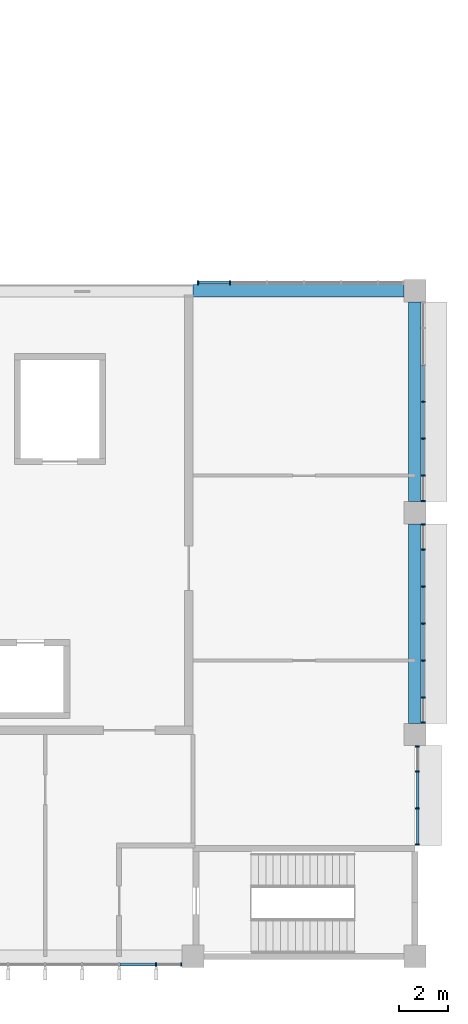
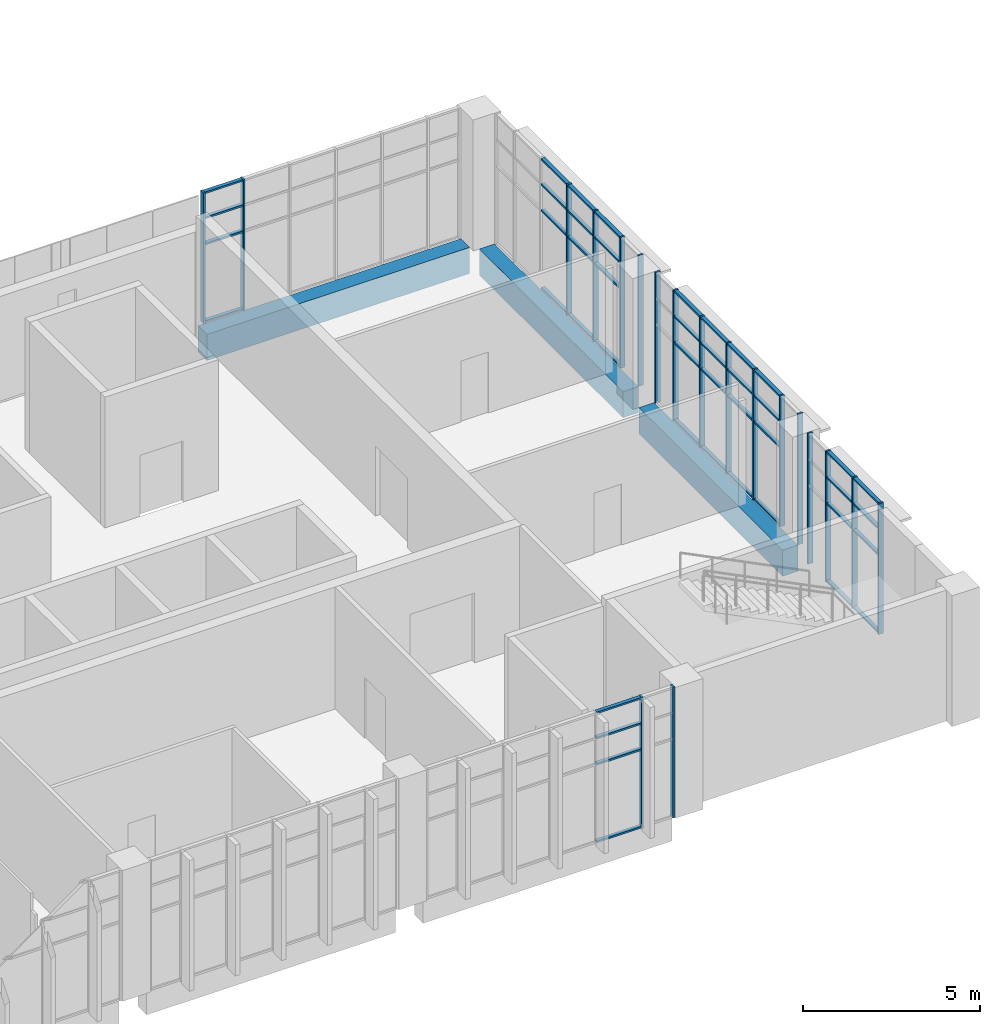
# One storey, part 13 of 45: 63 members, 3 beams, 5 elements without a shape of their own.
"""IFC4 building model written with IfcOpenShell, lengths in metres."""

from ifc_helpers import new_model, si_unit, direction, frame, origin, origin_2d, place, context, subcontext, project, spatial, rectangle, extrude, material, layer, layer_set, material_profile, profile_set, type_object, element, aggregate, save


model = new_model("IFC4")

# Units and contexts
model_context = context("Model", 3, precision=1e-05, world=origin(), true_north=direction((0.0, 1.0)))
body_context = subcontext(model_context, "Body", "Model", "MODEL_VIEW")
ifc_project = project(units=[si_unit("LENGTHUNIT", "METRE"), si_unit("AREAUNIT", "SQUARE_METRE"), si_unit("VOLUMEUNIT", "CUBIC_METRE"), si_unit("PLANEANGLEUNIT", "RADIAN"), si_unit("MASSUNIT", "GRAM", prefix="KILO")], contexts=[model_context])

# Site, building, storey
site_placement = place(None, origin())
site = spatial("IfcSite", under=ifc_project, at=site_placement, CompositionType="ELEMENT")
building_placement = place(site_placement, origin())
building = spatial("IfcBuilding", under=site, at=building_placement, Name="Guidao Yard Department Store", CompositionType="ELEMENT")
storey_placement = place(building_placement, frame((0.0, 0.0, 19.5)))
storey = spatial("IfcBuildingStorey", under=building, at=storey_placement, Name="L04", CompositionType="ELEMENT", Elevation=19.5)

# Curtain wall, members
ifc_material_1 = material(Name="Aluminium and glass", Category="aluminium")
ifc_layer = layer(ifc_material_1, 0.159912109375)
ifc_layer_set = layer_set([ifc_layer], Name="Unitised curtain wall CW4 1500 module")
curtain_wall_type = type_object("IfcCurtainWallType", Name="Unitised curtain wall CW4 1500 module", PredefinedType="NOTDEFINED", material=ifc_layer_set)
curtain_wall_1_placement = place(storey_placement, origin())
curtain_wall_1 = element("IfcCurtainWall", 1, at=curtain_wall_1_placement, inside=storey, type_object=curtain_wall_type, Name="Unitised curtain wall", PredefinedType="NOTDEFINED")
ifc_material_2 = material(Name="Aluminium 6063-T5", Category="aluminium")
ifc_material_profile_1 = material_profile(ifc_material_2, rectangle(XDim=0.06005859375, YDim=0.159912109375, at=origin_2d()), Name="Mullion M1 60 x 160 aluminium pressure plate")
ifc_profile_set_1 = profile_set([ifc_material_profile_1], Name="Aluminium 6063-T5")
member_type_1 = type_object("IfcMemberType", Name="Mullion M1 60 x 160 aluminium pressure plate", PredefinedType="MULLION", material=ifc_profile_set_1)
member_1_placement = place(storey_placement, frame((160.5, -0.330078125, 0.0), z_axis=(0.0, 0.0, 1.0), x_axis=(-1.0, 0.0, 0.0)))
member_1 = element("IfcMember", 2, at=member_1_placement, type_object=member_type_1, Name="CW-OW-L04-04 mullion 6", PredefinedType="MULLION", context=body_context, shape_type="SweptSolid", body=[
    extrude(rectangle(XDim=0.06005859375, YDim=0.159912109375, at=origin_2d()), origin(), (0.0, 0.0, 1.0), 4.5),
])
member_2_placement = place(storey_placement, frame((161.52001953125, -0.330078125, 0.0), z_axis=(0.0, 0.0, 1.0), x_axis=(-1.0, 0.0, 0.0)))
member_2 = element("IfcMember", 3, at=member_2_placement, type_object=member_type_1, Name="CW-OW-L04-04 mullion 7", PredefinedType="MULLION", context=body_context, shape_type="SweptSolid", body=[
    extrude(rectangle(XDim=0.06005859375, YDim=0.159912109375, at=origin_2d()), origin(), (0.0, 0.0, 1.0), 4.5),
])

curtain_wall_2_placement = place(storey_placement, origin())
curtain_wall_2 = element("IfcCurtainWall", 4, at=curtain_wall_2_placement, inside=storey, type_object=curtain_wall_type, Name="Unitised curtain wall", PredefinedType="NOTDEFINED")
member_3_placement = place(storey_placement, frame((162.205078125, 27.330078125, 0.0), z_axis=(0.0, 0.0, 1.0), x_axis=(1.0, 0.0, 0.0)))
member_3 = element("IfcMember", 5, at=member_3_placement, type_object=member_type_1, Name="CW-OW-L04-08 mullion 1", PredefinedType="MULLION", context=body_context, shape_type="SweptSolid", body=[
    extrude(rectangle(XDim=0.06005859375, YDim=0.159912109375, at=origin_2d()), origin(), (0.0, 0.0, 1.0), 4.5),
])
member_4_placement = place(storey_placement, frame((163.5, 27.330078125, 0.0), z_axis=(0.0, 0.0, 1.0), x_axis=(1.0, 0.0, 0.0)))
member_4 = element("IfcMember", 6, at=member_4_placement, type_object=member_type_1, Name="CW-OW-L04-08 mullion 2", PredefinedType="MULLION", context=body_context, shape_type="SweptSolid", body=[
    extrude(rectangle(XDim=0.06005859375, YDim=0.159912109375, at=origin_2d()), origin(), (0.0, 0.0, 1.0), 4.5),
])

curtain_wall_3_placement = place(storey_placement, origin())
curtain_wall_3 = element("IfcCurtainWall", 7, at=curtain_wall_3_placement, inside=storey, type_object=curtain_wall_type, Name="Unitised curtain wall", PredefinedType="NOTDEFINED")
member_5_placement = place(storey_placement, frame((171.10009765625, 4.530029296875, 0.0), z_axis=(0.0, 0.0, 1.0), x_axis=(0.0, -1.0, 0.0)))
member_5 = element("IfcMember", 8, at=member_5_placement, type_object=member_type_1, Name="CW-OW-L04-09 mullion 1", PredefinedType="MULLION", context=body_context, shape_type="SweptSolid", body=[
    extrude(rectangle(XDim=0.06005859375, YDim=0.159912109375, at=origin_2d()), origin(), (0.0, 0.0, 1.0), 4.5),
])
member_6_placement = place(storey_placement, frame((171.10009765625, 6.0, 0.0), z_axis=(0.0, 0.0, 1.0), x_axis=(0.0, -1.0, 0.0)))
member_6 = element("IfcMember", 9, at=member_6_placement, type_object=member_type_1, Name="CW-OW-L04-09 mullion 2", PredefinedType="MULLION", context=body_context, shape_type="SweptSolid", body=[
    extrude(rectangle(XDim=0.06005859375, YDim=0.159912109375, at=origin_2d()), origin(), (0.0, 0.0, 1.0), 4.5),
])
member_7_placement = place(storey_placement, frame((171.10009765625, 7.5, 0.0), z_axis=(0.0, 0.0, 1.0), x_axis=(0.0, -1.0, 0.0)))
member_7 = element("IfcMember", 10, at=member_7_placement, type_object=member_type_1, Name="CW-OW-L04-09 mullion 3", PredefinedType="MULLION", context=body_context, shape_type="SweptSolid", body=[
    extrude(rectangle(XDim=0.06005859375, YDim=0.159912109375, at=origin_2d()), origin(), (0.0, 0.0, 1.0), 4.5),
])
member_8_placement = place(storey_placement, frame((171.10009765625, 8.52001953125, 0.0), z_axis=(0.0, 0.0, 1.0), x_axis=(0.0, -1.0, 0.0)))
member_8 = element("IfcMember", 11, at=member_8_placement, type_object=member_type_1, Name="CW-OW-L04-09 mullion 4", PredefinedType="MULLION", context=body_context, shape_type="SweptSolid", body=[
    extrude(rectangle(XDim=0.06005859375, YDim=0.159912109375, at=origin_2d()), origin(), (0.0, 0.0, 1.0), 4.5),
])

curtain_wall_4_placement = place(storey_placement, origin())
curtain_wall_4 = element("IfcCurtainWall", 12, at=curtain_wall_4_placement, inside=storey, type_object=curtain_wall_type, Name="Unitised curtain wall", PredefinedType="NOTDEFINED")
member_9_placement = place(storey_placement, frame((171.330078125, 9.47998046875, 0.0), z_axis=(0.0, 0.0, 1.0), x_axis=(0.0, -1.0, 0.0)))
member_9 = element("IfcMember", 13, at=member_9_placement, type_object=member_type_1, Name="CW-OW-L04-10 mullion 1", PredefinedType="MULLION", context=body_context, shape_type="SweptSolid", body=[
    extrude(rectangle(XDim=0.06005859375, YDim=0.159912109375, at=origin_2d()), origin(), (0.0, 0.0, 1.0), 4.5),
])
member_10_placement = place(storey_placement, frame((171.330078125, 10.5, 0.0), z_axis=(0.0, 0.0, 1.0), x_axis=(0.0, -1.0, 0.0)))
member_10 = element("IfcMember", 14, at=member_10_placement, type_object=member_type_1, Name="CW-OW-L04-10 mullion 2", PredefinedType="MULLION", context=body_context, shape_type="SweptSolid", body=[
    extrude(rectangle(XDim=0.06005859375, YDim=0.159912109375, at=origin_2d()), origin(), (0.0, 0.0, 1.0), 4.5),
])
member_11_placement = place(storey_placement, frame((171.330078125, 12.0, 0.0), z_axis=(0.0, 0.0, 1.0), x_axis=(0.0, -1.0, 0.0)))
member_11 = element("IfcMember", 15, at=member_11_placement, type_object=member_type_1, Name="CW-OW-L04-10 mullion 3", PredefinedType="MULLION", context=body_context, shape_type="SweptSolid", body=[
    extrude(rectangle(XDim=0.06005859375, YDim=0.159912109375, at=origin_2d()), origin(), (0.0, 0.0, 1.0), 4.5),
])
member_12_placement = place(storey_placement, frame((171.330078125, 13.5, 0.0), z_axis=(0.0, 0.0, 1.0), x_axis=(0.0, -1.0, 0.0)))
member_12 = element("IfcMember", 16, at=member_12_placement, type_object=member_type_1, Name="CW-OW-L04-10 mullion 4", PredefinedType="MULLION", context=body_context, shape_type="SweptSolid", body=[
    extrude(rectangle(XDim=0.06005859375, YDim=0.159912109375, at=origin_2d()), origin(), (0.0, 0.0, 1.0), 4.5),
])
member_13_placement = place(storey_placement, frame((171.330078125, 15.0, 0.0), z_axis=(0.0, 0.0, 1.0), x_axis=(0.0, -1.0, 0.0)))
member_13 = element("IfcMember", 17, at=member_13_placement, type_object=member_type_1, Name="CW-OW-L04-10 mullion 5", PredefinedType="MULLION", context=body_context, shape_type="SweptSolid", body=[
    extrude(rectangle(XDim=0.06005859375, YDim=0.159912109375, at=origin_2d()), origin(), (0.0, 0.0, 1.0), 4.5),
])
member_14_placement = place(storey_placement, frame((171.330078125, 16.5, 0.0), z_axis=(0.0, 0.0, 1.0), x_axis=(0.0, -1.0, 0.0)))
member_14 = element("IfcMember", 18, at=member_14_placement, type_object=member_type_1, Name="CW-OW-L04-10 mullion 6", PredefinedType="MULLION", context=body_context, shape_type="SweptSolid", body=[
    extrude(rectangle(XDim=0.06005859375, YDim=0.159912109375, at=origin_2d()), origin(), (0.0, 0.0, 1.0), 4.5),
])
member_15_placement = place(storey_placement, frame((171.330078125, 17.52001953125, 0.0), z_axis=(0.0, 0.0, 1.0), x_axis=(0.0, -1.0, 0.0)))
member_15 = element("IfcMember", 19, at=member_15_placement, type_object=member_type_1, Name="CW-OW-L04-10 mullion 7", PredefinedType="MULLION", context=body_context, shape_type="SweptSolid", body=[
    extrude(rectangle(XDim=0.06005859375, YDim=0.159912109375, at=origin_2d()), origin(), (0.0, 0.0, 1.0), 4.5),
])

curtain_wall_5_placement = place(storey_placement, origin())
curtain_wall_5 = element("IfcCurtainWall", 20, at=curtain_wall_5_placement, inside=storey, type_object=curtain_wall_type, Name="Unitised curtain wall", PredefinedType="NOTDEFINED")
member_16_placement = place(storey_placement, frame((171.330078125, 18.47998046875, 0.0), z_axis=(0.0, 0.0, 1.0), x_axis=(0.0, -1.0, 0.0)))
member_16 = element("IfcMember", 21, at=member_16_placement, type_object=member_type_1, Name="CW-OW-L04-11 mullion 1", PredefinedType="MULLION", context=body_context, shape_type="SweptSolid", body=[
    extrude(rectangle(XDim=0.06005859375, YDim=0.159912109375, at=origin_2d()), origin(), (0.0, 0.0, 1.0), 4.5),
])
member_17_placement = place(storey_placement, frame((171.330078125, 19.5, 0.0), z_axis=(0.0, 0.0, 1.0), x_axis=(0.0, -1.0, 0.0)))
member_17 = element("IfcMember", 22, at=member_17_placement, type_object=member_type_1, Name="CW-OW-L04-11 mullion 2", PredefinedType="MULLION", context=body_context, shape_type="SweptSolid", body=[
    extrude(rectangle(XDim=0.06005859375, YDim=0.159912109375, at=origin_2d()), origin(), (0.0, 0.0, 1.0), 4.5),
])
member_18_placement = place(storey_placement, frame((171.330078125, 21.0, 0.0), z_axis=(0.0, 0.0, 1.0), x_axis=(0.0, -1.0, 0.0)))
member_18 = element("IfcMember", 23, at=member_18_placement, type_object=member_type_1, Name="CW-OW-L04-11 mullion 3", PredefinedType="MULLION", context=body_context, shape_type="SweptSolid", body=[
    extrude(rectangle(XDim=0.06005859375, YDim=0.159912109375, at=origin_2d()), origin(), (0.0, 0.0, 1.0), 4.5),
])
member_19_placement = place(storey_placement, frame((171.330078125, 22.5, 0.0), z_axis=(0.0, 0.0, 1.0), x_axis=(0.0, -1.0, 0.0)))
member_19 = element("IfcMember", 24, at=member_19_placement, type_object=member_type_1, Name="CW-OW-L04-11 mullion 4", PredefinedType="MULLION", context=body_context, shape_type="SweptSolid", body=[
    extrude(rectangle(XDim=0.06005859375, YDim=0.159912109375, at=origin_2d()), origin(), (0.0, 0.0, 1.0), 4.5),
])

# Beams
ifc_material_3 = material(Name="Concrete C40", Category="concrete")
ifc_material_profile_2 = material_profile(ifc_material_3, rectangle(XDim=0.5, YDim=0.89990234375, at=origin_2d()), Name="Spandrel beam 500 x 900 C40")
ifc_profile_set_2 = profile_set([ifc_material_profile_2], Name="Concrete C40")
beam_type = type_object("IfcBeamType", Name="Spandrel beam 500 x 900 C40", PredefinedType="SPANDREL", material=ifc_profile_set_2)
beam_placement = place(storey_placement, frame((162.0, 27.0, -0.449951171875), z_axis=(1.0, 0.0, 0.0), x_axis=(0.0, 1.0, 0.0)))
element("IfcBeam", 25, at=beam_placement, inside=storey, type_object=beam_type, Name="Beam FB08", PredefinedType="SPANDREL", context=body_context, shape_type="SweptSolid", body=[
    extrude(rectangle(XDim=0.5, YDim=0.89990234375, at=origin_2d()), origin(), (0.0, 0.0, 1.0), 8.550048828125),
])
for number, where, z_axis, x_axis, name in (
    (26, (171.0, 9.449951171875, -0.449951171875), (0.0, 1.0, 0.0), (-1.0, 0.0, 0.0), "Beam FB09"),
    (27, (171.0, 18.449951171875, -0.449951171875), (0.0, 1.0, 0.0), (-1.0, 0.0, 0.0), "Beam FB10"),
):
    element("IfcBeam", number, at=place(storey_placement, frame(where, z_axis=z_axis, x_axis=x_axis)), inside=storey, type_object=beam_type, Name=name, PredefinedType="SPANDREL", context=body_context, shape_type="SweptSolid", body=[
        extrude(rectangle(XDim=0.5, YDim=0.89990234375, at=origin_2d()), origin(), (0.0, 0.0, 1.0), 8.10009765625),
    ])

# Member
ifc_material_4 = material(Name="Aluminium 6063-T5", Category="aluminium")
ifc_material_profile_3 = material_profile(ifc_material_4, rectangle(XDim=0.1201171875, YDim=0.06005859375, at=origin_2d()), Name="Transom T1 60 x 120 aluminium pressure plate")
ifc_profile_set_3 = profile_set([ifc_material_profile_3], Name="Aluminium 6063-T5")
member_type_2 = type_object("IfcMemberType", Name="Transom T1 60 x 120 aluminium pressure plate", PredefinedType="USERDEFINED", material=ifc_profile_set_3)
member_20_placement = place(storey_placement, frame((160.469970703125, -0.330078125, 0.030029296875), z_axis=(-1.0, 0.0, 0.0), x_axis=(0.0, -1.0, 0.0)))
member_20 = element("IfcMember", 28, at=member_20_placement, type_object=member_type_2, Name="CW-OW-L04-04 transom 5.1", ObjectType="TRANSOM", PredefinedType="USERDEFINED", context=body_context, shape_type="SweptSolid", body=[
    extrude(rectangle(XDim=0.1201171875, YDim=0.06005859375, at=origin_2d()), origin(), (0.0, 0.0, 1.0), 1.43994140625),
])

member_21_placement = place(storey_placement, frame((160.469970703125, -0.330078125, 2.699951171875), z_axis=(-1.0, 0.0, 0.0), x_axis=(0.0, -1.0, 0.0)))
member_21 = element("IfcMember", 29, at=member_21_placement, type_object=member_type_2, Name="CW-OW-L04-04 transom 5.2", ObjectType="TRANSOM", PredefinedType="USERDEFINED", context=body_context, shape_type="SweptSolid", body=[
    extrude(rectangle(XDim=0.1201171875, YDim=0.06005859375, at=origin_2d()), origin(), (0.0, 0.0, 1.0), 1.43994140625),
])

member_22_placement = place(storey_placement, frame((160.469970703125, -0.330078125, 3.60009765625), z_axis=(-1.0, 0.0, 0.0), x_axis=(0.0, -1.0, 0.0)))
member_22 = element("IfcMember", 30, at=member_22_placement, type_object=member_type_2, Name="CW-OW-L04-04 transom 5.3", ObjectType="TRANSOM", PredefinedType="USERDEFINED", context=body_context, shape_type="SweptSolid", body=[
    extrude(rectangle(XDim=0.1201171875, YDim=0.06005859375, at=origin_2d()), origin(), (0.0, 0.0, 1.0), 1.43994140625),
])

member_23_placement = place(storey_placement, frame((160.469970703125, -0.330078125, 4.469970703125), z_axis=(-1.0, 0.0, 0.0), x_axis=(0.0, -1.0, 0.0)))
member_23 = element("IfcMember", 31, at=member_23_placement, type_object=member_type_2, Name="CW-OW-L04-04 transom 5.4", ObjectType="TRANSOM", PredefinedType="USERDEFINED", context=body_context, shape_type="SweptSolid", body=[
    extrude(rectangle(XDim=0.1201171875, YDim=0.06005859375, at=origin_2d()), origin(), (0.0, 0.0, 1.0), 1.43994140625),
])

aggregate(curtain_wall_1, [member_1, member_2, member_20, member_21, member_22, member_23])

member_24_placement = place(storey_placement, frame((162.235107421875, 27.330078125, 0.030029296875), z_axis=(1.0, 0.0, 0.0), x_axis=(0.0, 1.0, 0.0)))
member_24 = element("IfcMember", 32, at=member_24_placement, type_object=member_type_2, Name="CW-OW-L04-08 transom 1.1", ObjectType="TRANSOM", PredefinedType="USERDEFINED", context=body_context, shape_type="SweptSolid", body=[
    extrude(rectangle(XDim=0.1201171875, YDim=0.06005859375, at=origin_2d()), origin(), (0.0, 0.0, 1.0), 1.23486328125),
])

member_25_placement = place(storey_placement, frame((162.235107421875, 27.330078125, 2.699951171875), z_axis=(1.0, 0.0, 0.0), x_axis=(0.0, 1.0, 0.0)))
member_25 = element("IfcMember", 33, at=member_25_placement, type_object=member_type_2, Name="CW-OW-L04-08 transom 1.2", ObjectType="TRANSOM", PredefinedType="USERDEFINED", context=body_context, shape_type="SweptSolid", body=[
    extrude(rectangle(XDim=0.1201171875, YDim=0.06005859375, at=origin_2d()), origin(), (0.0, 0.0, 1.0), 1.23486328125),
])

member_26_placement = place(storey_placement, frame((162.235107421875, 27.330078125, 3.60009765625), z_axis=(1.0, 0.0, 0.0), x_axis=(0.0, 1.0, 0.0)))
member_26 = element("IfcMember", 34, at=member_26_placement, type_object=member_type_2, Name="CW-OW-L04-08 transom 1.3", ObjectType="TRANSOM", PredefinedType="USERDEFINED", context=body_context, shape_type="SweptSolid", body=[
    extrude(rectangle(XDim=0.1201171875, YDim=0.06005859375, at=origin_2d()), origin(), (0.0, 0.0, 1.0), 1.23486328125),
])

member_27_placement = place(storey_placement, frame((162.235107421875, 27.330078125, 4.469970703125), z_axis=(1.0, 0.0, 0.0), x_axis=(0.0, 1.0, 0.0)))
member_27 = element("IfcMember", 35, at=member_27_placement, type_object=member_type_2, Name="CW-OW-L04-08 transom 1.4", ObjectType="TRANSOM", PredefinedType="USERDEFINED", context=body_context, shape_type="SweptSolid", body=[
    extrude(rectangle(XDim=0.1201171875, YDim=0.06005859375, at=origin_2d()), origin(), (0.0, 0.0, 1.0), 1.23486328125),
])

aggregate(curtain_wall_2, [member_3, member_4, member_24, member_25, member_26, member_27])

member_28_placement = place(storey_placement, frame((171.10009765625, 5.969970703125, 0.030029296875), z_axis=(0.0, -1.0, 0.0), x_axis=(1.0, 0.0, 0.0)))
member_28 = element("IfcMember", 36, at=member_28_placement, type_object=member_type_2, Name="CW-OW-L04-09 transom 1.1", ObjectType="TRANSOM", PredefinedType="USERDEFINED", context=body_context, shape_type="SweptSolid", body=[
    extrude(rectangle(XDim=0.1201171875, YDim=0.06005859375, at=origin_2d()), origin(), (0.0, 0.0, 1.0), 1.409912109375),
])

member_29_placement = place(storey_placement, frame((171.10009765625, 5.969970703125, 2.699951171875), z_axis=(0.0, -1.0, 0.0), x_axis=(1.0, 0.0, 0.0)))
member_29 = element("IfcMember", 37, at=member_29_placement, type_object=member_type_2, Name="CW-OW-L04-09 transom 1.2", ObjectType="TRANSOM", PredefinedType="USERDEFINED", context=body_context, shape_type="SweptSolid", body=[
    extrude(rectangle(XDim=0.1201171875, YDim=0.06005859375, at=origin_2d()), origin(), (0.0, 0.0, 1.0), 1.409912109375),
])

member_30_placement = place(storey_placement, frame((171.10009765625, 5.969970703125, 3.60009765625), z_axis=(0.0, -1.0, 0.0), x_axis=(1.0, 0.0, 0.0)))
member_30 = element("IfcMember", 38, at=member_30_placement, type_object=member_type_2, Name="CW-OW-L04-09 transom 1.3", ObjectType="TRANSOM", PredefinedType="USERDEFINED", context=body_context, shape_type="SweptSolid", body=[
    extrude(rectangle(XDim=0.1201171875, YDim=0.06005859375, at=origin_2d()), origin(), (0.0, 0.0, 1.0), 1.409912109375),
])

member_31_placement = place(storey_placement, frame((171.10009765625, 5.969970703125, 4.469970703125), z_axis=(0.0, -1.0, 0.0), x_axis=(1.0, 0.0, 0.0)))
member_31 = element("IfcMember", 39, at=member_31_placement, type_object=member_type_2, Name="CW-OW-L04-09 transom 1.4", ObjectType="TRANSOM", PredefinedType="USERDEFINED", context=body_context, shape_type="SweptSolid", body=[
    extrude(rectangle(XDim=0.1201171875, YDim=0.06005859375, at=origin_2d()), origin(), (0.0, 0.0, 1.0), 1.409912109375),
])

member_32_placement = place(storey_placement, frame((171.10009765625, 7.469970703125, 0.030029296875), z_axis=(0.0, -1.0, 0.0), x_axis=(1.0, 0.0, 0.0)))
member_32 = element("IfcMember", 40, at=member_32_placement, type_object=member_type_2, Name="CW-OW-L04-09 transom 2.1", ObjectType="TRANSOM", PredefinedType="USERDEFINED", context=body_context, shape_type="SweptSolid", body=[
    extrude(rectangle(XDim=0.1201171875, YDim=0.06005859375, at=origin_2d()), origin(), (0.0, 0.0, 1.0), 1.43994140625),
])

member_33_placement = place(storey_placement, frame((171.10009765625, 7.469970703125, 2.699951171875), z_axis=(0.0, -1.0, 0.0), x_axis=(1.0, 0.0, 0.0)))
member_33 = element("IfcMember", 41, at=member_33_placement, type_object=member_type_2, Name="CW-OW-L04-09 transom 2.2", ObjectType="TRANSOM", PredefinedType="USERDEFINED", context=body_context, shape_type="SweptSolid", body=[
    extrude(rectangle(XDim=0.1201171875, YDim=0.06005859375, at=origin_2d()), origin(), (0.0, 0.0, 1.0), 1.43994140625),
])

member_34_placement = place(storey_placement, frame((171.10009765625, 7.469970703125, 3.60009765625), z_axis=(0.0, -1.0, 0.0), x_axis=(1.0, 0.0, 0.0)))
member_34 = element("IfcMember", 42, at=member_34_placement, type_object=member_type_2, Name="CW-OW-L04-09 transom 2.3", ObjectType="TRANSOM", PredefinedType="USERDEFINED", context=body_context, shape_type="SweptSolid", body=[
    extrude(rectangle(XDim=0.1201171875, YDim=0.06005859375, at=origin_2d()), origin(), (0.0, 0.0, 1.0), 1.43994140625),
])

member_35_placement = place(storey_placement, frame((171.10009765625, 7.469970703125, 4.469970703125), z_axis=(0.0, -1.0, 0.0), x_axis=(1.0, 0.0, 0.0)))
member_35 = element("IfcMember", 43, at=member_35_placement, type_object=member_type_2, Name="CW-OW-L04-09 transom 2.4", ObjectType="TRANSOM", PredefinedType="USERDEFINED", context=body_context, shape_type="SweptSolid", body=[
    extrude(rectangle(XDim=0.1201171875, YDim=0.06005859375, at=origin_2d()), origin(), (0.0, 0.0, 1.0), 1.43994140625),
])

aggregate(curtain_wall_3, [member_5, member_6, member_7, member_8, member_28, member_29, member_30, member_31, member_32, member_33, member_34, member_35])

member_36_placement = place(storey_placement, frame((171.330078125, 11.969970703125, 0.030029296875), z_axis=(0.0, -1.0, 0.0), x_axis=(1.0, 0.0, 0.0)))
member_36 = element("IfcMember", 44, at=member_36_placement, type_object=member_type_2, Name="CW-OW-L04-10 transom 2.1", ObjectType="TRANSOM", PredefinedType="USERDEFINED", context=body_context, shape_type="SweptSolid", body=[
    extrude(rectangle(XDim=0.1201171875, YDim=0.06005859375, at=origin_2d()), origin(), (0.0, 0.0, 1.0), 1.43994140625),
])

member_37_placement = place(storey_placement, frame((171.330078125, 11.969970703125, 2.699951171875), z_axis=(0.0, -1.0, 0.0), x_axis=(1.0, 0.0, 0.0)))
member_37 = element("IfcMember", 45, at=member_37_placement, type_object=member_type_2, Name="CW-OW-L04-10 transom 2.2", ObjectType="TRANSOM", PredefinedType="USERDEFINED", context=body_context, shape_type="SweptSolid", body=[
    extrude(rectangle(XDim=0.1201171875, YDim=0.06005859375, at=origin_2d()), origin(), (0.0, 0.0, 1.0), 1.43994140625),
])

member_38_placement = place(storey_placement, frame((171.330078125, 11.969970703125, 3.60009765625), z_axis=(0.0, -1.0, 0.0), x_axis=(1.0, 0.0, 0.0)))
member_38 = element("IfcMember", 46, at=member_38_placement, type_object=member_type_2, Name="CW-OW-L04-10 transom 2.3", ObjectType="TRANSOM", PredefinedType="USERDEFINED", context=body_context, shape_type="SweptSolid", body=[
    extrude(rectangle(XDim=0.1201171875, YDim=0.06005859375, at=origin_2d()), origin(), (0.0, 0.0, 1.0), 1.43994140625),
])

member_39_placement = place(storey_placement, frame((171.330078125, 11.969970703125, 4.469970703125), z_axis=(0.0, -1.0, 0.0), x_axis=(1.0, 0.0, 0.0)))
member_39 = element("IfcMember", 47, at=member_39_placement, type_object=member_type_2, Name="CW-OW-L04-10 transom 2.4", ObjectType="TRANSOM", PredefinedType="USERDEFINED", context=body_context, shape_type="SweptSolid", body=[
    extrude(rectangle(XDim=0.1201171875, YDim=0.06005859375, at=origin_2d()), origin(), (0.0, 0.0, 1.0), 1.43994140625),
])

member_40_placement = place(storey_placement, frame((171.330078125, 13.469970703125, 0.030029296875), z_axis=(0.0, -1.0, 0.0), x_axis=(1.0, 0.0, 0.0)))
member_40 = element("IfcMember", 48, at=member_40_placement, type_object=member_type_2, Name="CW-OW-L04-10 transom 3.1", ObjectType="TRANSOM", PredefinedType="USERDEFINED", context=body_context, shape_type="SweptSolid", body=[
    extrude(rectangle(XDim=0.1201171875, YDim=0.06005859375, at=origin_2d()), origin(), (0.0, 0.0, 1.0), 1.43994140625),
])

member_41_placement = place(storey_placement, frame((171.330078125, 13.469970703125, 2.699951171875), z_axis=(0.0, -1.0, 0.0), x_axis=(1.0, 0.0, 0.0)))
member_41 = element("IfcMember", 49, at=member_41_placement, type_object=member_type_2, Name="CW-OW-L04-10 transom 3.2", ObjectType="TRANSOM", PredefinedType="USERDEFINED", context=body_context, shape_type="SweptSolid", body=[
    extrude(rectangle(XDim=0.1201171875, YDim=0.06005859375, at=origin_2d()), origin(), (0.0, 0.0, 1.0), 1.43994140625),
])

member_42_placement = place(storey_placement, frame((171.330078125, 13.469970703125, 3.60009765625), z_axis=(0.0, -1.0, 0.0), x_axis=(1.0, 0.0, 0.0)))
member_42 = element("IfcMember", 50, at=member_42_placement, type_object=member_type_2, Name="CW-OW-L04-10 transom 3.3", ObjectType="TRANSOM", PredefinedType="USERDEFINED", context=body_context, shape_type="SweptSolid", body=[
    extrude(rectangle(XDim=0.1201171875, YDim=0.06005859375, at=origin_2d()), origin(), (0.0, 0.0, 1.0), 1.43994140625),
])

member_43_placement = place(storey_placement, frame((171.330078125, 13.469970703125, 4.469970703125), z_axis=(0.0, -1.0, 0.0), x_axis=(1.0, 0.0, 0.0)))
member_43 = element("IfcMember", 51, at=member_43_placement, type_object=member_type_2, Name="CW-OW-L04-10 transom 3.4", ObjectType="TRANSOM", PredefinedType="USERDEFINED", context=body_context, shape_type="SweptSolid", body=[
    extrude(rectangle(XDim=0.1201171875, YDim=0.06005859375, at=origin_2d()), origin(), (0.0, 0.0, 1.0), 1.43994140625),
])

member_44_placement = place(storey_placement, frame((171.330078125, 14.969970703125, 0.030029296875), z_axis=(0.0, -1.0, 0.0), x_axis=(1.0, 0.0, 0.0)))
member_44 = element("IfcMember", 52, at=member_44_placement, type_object=member_type_2, Name="CW-OW-L04-10 transom 4.1", ObjectType="TRANSOM", PredefinedType="USERDEFINED", context=body_context, shape_type="SweptSolid", body=[
    extrude(rectangle(XDim=0.1201171875, YDim=0.06005859375, at=origin_2d()), origin(), (0.0, 0.0, 1.0), 1.43994140625),
])

member_45_placement = place(storey_placement, frame((171.330078125, 14.969970703125, 2.699951171875), z_axis=(0.0, -1.0, 0.0), x_axis=(1.0, 0.0, 0.0)))
member_45 = element("IfcMember", 53, at=member_45_placement, type_object=member_type_2, Name="CW-OW-L04-10 transom 4.2", ObjectType="TRANSOM", PredefinedType="USERDEFINED", context=body_context, shape_type="SweptSolid", body=[
    extrude(rectangle(XDim=0.1201171875, YDim=0.06005859375, at=origin_2d()), origin(), (0.0, 0.0, 1.0), 1.43994140625),
])

member_46_placement = place(storey_placement, frame((171.330078125, 14.969970703125, 3.60009765625), z_axis=(0.0, -1.0, 0.0), x_axis=(1.0, 0.0, 0.0)))
member_46 = element("IfcMember", 54, at=member_46_placement, type_object=member_type_2, Name="CW-OW-L04-10 transom 4.3", ObjectType="TRANSOM", PredefinedType="USERDEFINED", context=body_context, shape_type="SweptSolid", body=[
    extrude(rectangle(XDim=0.1201171875, YDim=0.06005859375, at=origin_2d()), origin(), (0.0, 0.0, 1.0), 1.43994140625),
])

member_47_placement = place(storey_placement, frame((171.330078125, 14.969970703125, 4.469970703125), z_axis=(0.0, -1.0, 0.0), x_axis=(1.0, 0.0, 0.0)))
member_47 = element("IfcMember", 55, at=member_47_placement, type_object=member_type_2, Name="CW-OW-L04-10 transom 4.4", ObjectType="TRANSOM", PredefinedType="USERDEFINED", context=body_context, shape_type="SweptSolid", body=[
    extrude(rectangle(XDim=0.1201171875, YDim=0.06005859375, at=origin_2d()), origin(), (0.0, 0.0, 1.0), 1.43994140625),
])

member_48_placement = place(storey_placement, frame((171.330078125, 16.469970703125, 0.030029296875), z_axis=(0.0, -1.0, 0.0), x_axis=(1.0, 0.0, 0.0)))
member_48 = element("IfcMember", 56, at=member_48_placement, type_object=member_type_2, Name="CW-OW-L04-10 transom 5.1", ObjectType="TRANSOM", PredefinedType="USERDEFINED", context=body_context, shape_type="SweptSolid", body=[
    extrude(rectangle(XDim=0.1201171875, YDim=0.06005859375, at=origin_2d()), origin(), (0.0, 0.0, 1.0), 1.43994140625),
])

member_49_placement = place(storey_placement, frame((171.330078125, 16.469970703125, 2.699951171875), z_axis=(0.0, -1.0, 0.0), x_axis=(1.0, 0.0, 0.0)))
member_49 = element("IfcMember", 57, at=member_49_placement, type_object=member_type_2, Name="CW-OW-L04-10 transom 5.2", ObjectType="TRANSOM", PredefinedType="USERDEFINED", context=body_context, shape_type="SweptSolid", body=[
    extrude(rectangle(XDim=0.1201171875, YDim=0.06005859375, at=origin_2d()), origin(), (0.0, 0.0, 1.0), 1.43994140625),
])

member_50_placement = place(storey_placement, frame((171.330078125, 16.469970703125, 3.60009765625), z_axis=(0.0, -1.0, 0.0), x_axis=(1.0, 0.0, 0.0)))
member_50 = element("IfcMember", 58, at=member_50_placement, type_object=member_type_2, Name="CW-OW-L04-10 transom 5.3", ObjectType="TRANSOM", PredefinedType="USERDEFINED", context=body_context, shape_type="SweptSolid", body=[
    extrude(rectangle(XDim=0.1201171875, YDim=0.06005859375, at=origin_2d()), origin(), (0.0, 0.0, 1.0), 1.43994140625),
])

member_51_placement = place(storey_placement, frame((171.330078125, 16.469970703125, 4.469970703125), z_axis=(0.0, -1.0, 0.0), x_axis=(1.0, 0.0, 0.0)))
member_51 = element("IfcMember", 59, at=member_51_placement, type_object=member_type_2, Name="CW-OW-L04-10 transom 5.4", ObjectType="TRANSOM", PredefinedType="USERDEFINED", context=body_context, shape_type="SweptSolid", body=[
    extrude(rectangle(XDim=0.1201171875, YDim=0.06005859375, at=origin_2d()), origin(), (0.0, 0.0, 1.0), 1.43994140625),
])

aggregate(curtain_wall_4, [member_9, member_10, member_11, member_12, member_13, member_14, member_15, member_36, member_37, member_38, member_39, member_40, member_41, member_42, member_43, member_44, member_45, member_46, member_47, member_48, member_49, member_50, member_51])

member_52_placement = place(storey_placement, frame((171.330078125, 20.969970703125, 0.030029296875), z_axis=(0.0, -1.0, 0.0), x_axis=(1.0, 0.0, 0.0)))
member_52 = element("IfcMember", 60, at=member_52_placement, type_object=member_type_2, Name="CW-OW-L04-11 transom 2.1", ObjectType="TRANSOM", PredefinedType="USERDEFINED", context=body_context, shape_type="SweptSolid", body=[
    extrude(rectangle(XDim=0.1201171875, YDim=0.06005859375, at=origin_2d()), origin(), (0.0, 0.0, 1.0), 1.43994140625),
])

member_53_placement = place(storey_placement, frame((171.330078125, 20.969970703125, 2.699951171875), z_axis=(0.0, -1.0, 0.0), x_axis=(1.0, 0.0, 0.0)))
member_53 = element("IfcMember", 61, at=member_53_placement, type_object=member_type_2, Name="CW-OW-L04-11 transom 2.2", ObjectType="TRANSOM", PredefinedType="USERDEFINED", context=body_context, shape_type="SweptSolid", body=[
    extrude(rectangle(XDim=0.1201171875, YDim=0.06005859375, at=origin_2d()), origin(), (0.0, 0.0, 1.0), 1.43994140625),
])

member_54_placement = place(storey_placement, frame((171.330078125, 20.969970703125, 3.60009765625), z_axis=(0.0, -1.0, 0.0), x_axis=(1.0, 0.0, 0.0)))
member_54 = element("IfcMember", 62, at=member_54_placement, type_object=member_type_2, Name="CW-OW-L04-11 transom 2.3", ObjectType="TRANSOM", PredefinedType="USERDEFINED", context=body_context, shape_type="SweptSolid", body=[
    extrude(rectangle(XDim=0.1201171875, YDim=0.06005859375, at=origin_2d()), origin(), (0.0, 0.0, 1.0), 1.43994140625),
])

member_55_placement = place(storey_placement, frame((171.330078125, 20.969970703125, 4.469970703125), z_axis=(0.0, -1.0, 0.0), x_axis=(1.0, 0.0, 0.0)))
member_55 = element("IfcMember", 63, at=member_55_placement, type_object=member_type_2, Name="CW-OW-L04-11 transom 2.4", ObjectType="TRANSOM", PredefinedType="USERDEFINED", context=body_context, shape_type="SweptSolid", body=[
    extrude(rectangle(XDim=0.1201171875, YDim=0.06005859375, at=origin_2d()), origin(), (0.0, 0.0, 1.0), 1.43994140625),
])

member_56_placement = place(storey_placement, frame((171.330078125, 22.469970703125, 0.030029296875), z_axis=(0.0, -1.0, 0.0), x_axis=(1.0, 0.0, 0.0)))
member_56 = element("IfcMember", 64, at=member_56_placement, type_object=member_type_2, Name="CW-OW-L04-11 transom 3.1", ObjectType="TRANSOM", PredefinedType="USERDEFINED", context=body_context, shape_type="SweptSolid", body=[
    extrude(rectangle(XDim=0.1201171875, YDim=0.06005859375, at=origin_2d()), origin(), (0.0, 0.0, 1.0), 1.43994140625),
])

member_57_placement = place(storey_placement, frame((171.330078125, 22.469970703125, 2.699951171875), z_axis=(0.0, -1.0, 0.0), x_axis=(1.0, 0.0, 0.0)))
member_57 = element("IfcMember", 65, at=member_57_placement, type_object=member_type_2, Name="CW-OW-L04-11 transom 3.2", ObjectType="TRANSOM", PredefinedType="USERDEFINED", context=body_context, shape_type="SweptSolid", body=[
    extrude(rectangle(XDim=0.1201171875, YDim=0.06005859375, at=origin_2d()), origin(), (0.0, 0.0, 1.0), 1.43994140625),
])

member_58_placement = place(storey_placement, frame((171.330078125, 22.469970703125, 3.60009765625), z_axis=(0.0, -1.0, 0.0), x_axis=(1.0, 0.0, 0.0)))
member_58 = element("IfcMember", 66, at=member_58_placement, type_object=member_type_2, Name="CW-OW-L04-11 transom 3.3", ObjectType="TRANSOM", PredefinedType="USERDEFINED", context=body_context, shape_type="SweptSolid", body=[
    extrude(rectangle(XDim=0.1201171875, YDim=0.06005859375, at=origin_2d()), origin(), (0.0, 0.0, 1.0), 1.43994140625),
])

member_59_placement = place(storey_placement, frame((171.330078125, 22.469970703125, 4.469970703125), z_axis=(0.0, -1.0, 0.0), x_axis=(1.0, 0.0, 0.0)))
member_59 = element("IfcMember", 67, at=member_59_placement, type_object=member_type_2, Name="CW-OW-L04-11 transom 3.4", ObjectType="TRANSOM", PredefinedType="USERDEFINED", context=body_context, shape_type="SweptSolid", body=[
    extrude(rectangle(XDim=0.1201171875, YDim=0.06005859375, at=origin_2d()), origin(), (0.0, 0.0, 1.0), 1.43994140625),
])

member_60_placement = place(storey_placement, frame((171.330078125, 23.969970703125, 0.030029296875), z_axis=(0.0, -1.0, 0.0), x_axis=(1.0, 0.0, 0.0)))
member_60 = element("IfcMember", 68, at=member_60_placement, type_object=member_type_2, Name="CW-OW-L04-11 transom 4.1", ObjectType="TRANSOM", PredefinedType="USERDEFINED", context=body_context, shape_type="SweptSolid", body=[
    extrude(rectangle(XDim=0.1201171875, YDim=0.06005859375, at=origin_2d()), origin(), (0.0, 0.0, 1.0), 1.43994140625),
])

member_61_placement = place(storey_placement, frame((171.330078125, 23.969970703125, 2.699951171875), z_axis=(0.0, -1.0, 0.0), x_axis=(1.0, 0.0, 0.0)))
member_61 = element("IfcMember", 69, at=member_61_placement, type_object=member_type_2, Name="CW-OW-L04-11 transom 4.2", ObjectType="TRANSOM", PredefinedType="USERDEFINED", context=body_context, shape_type="SweptSolid", body=[
    extrude(rectangle(XDim=0.1201171875, YDim=0.06005859375, at=origin_2d()), origin(), (0.0, 0.0, 1.0), 1.43994140625),
])

member_62_placement = place(storey_placement, frame((171.330078125, 23.969970703125, 3.60009765625), z_axis=(0.0, -1.0, 0.0), x_axis=(1.0, 0.0, 0.0)))
member_62 = element("IfcMember", 70, at=member_62_placement, type_object=member_type_2, Name="CW-OW-L04-11 transom 4.3", ObjectType="TRANSOM", PredefinedType="USERDEFINED", context=body_context, shape_type="SweptSolid", body=[
    extrude(rectangle(XDim=0.1201171875, YDim=0.06005859375, at=origin_2d()), origin(), (0.0, 0.0, 1.0), 1.43994140625),
])

member_63_placement = place(storey_placement, frame((171.330078125, 23.969970703125, 4.469970703125), z_axis=(0.0, -1.0, 0.0), x_axis=(1.0, 0.0, 0.0)))
member_63 = element("IfcMember", 71, at=member_63_placement, type_object=member_type_2, Name="CW-OW-L04-11 transom 4.4", ObjectType="TRANSOM", PredefinedType="USERDEFINED", context=body_context, shape_type="SweptSolid", body=[
    extrude(rectangle(XDim=0.1201171875, YDim=0.06005859375, at=origin_2d()), origin(), (0.0, 0.0, 1.0), 1.43994140625),
])

aggregate(curtain_wall_5, [member_16, member_17, member_18, member_19, member_52, member_53, member_54, member_55, member_56, member_57, member_58, member_59, member_60, member_61, member_62, member_63])

save(model, "model.ifc")
